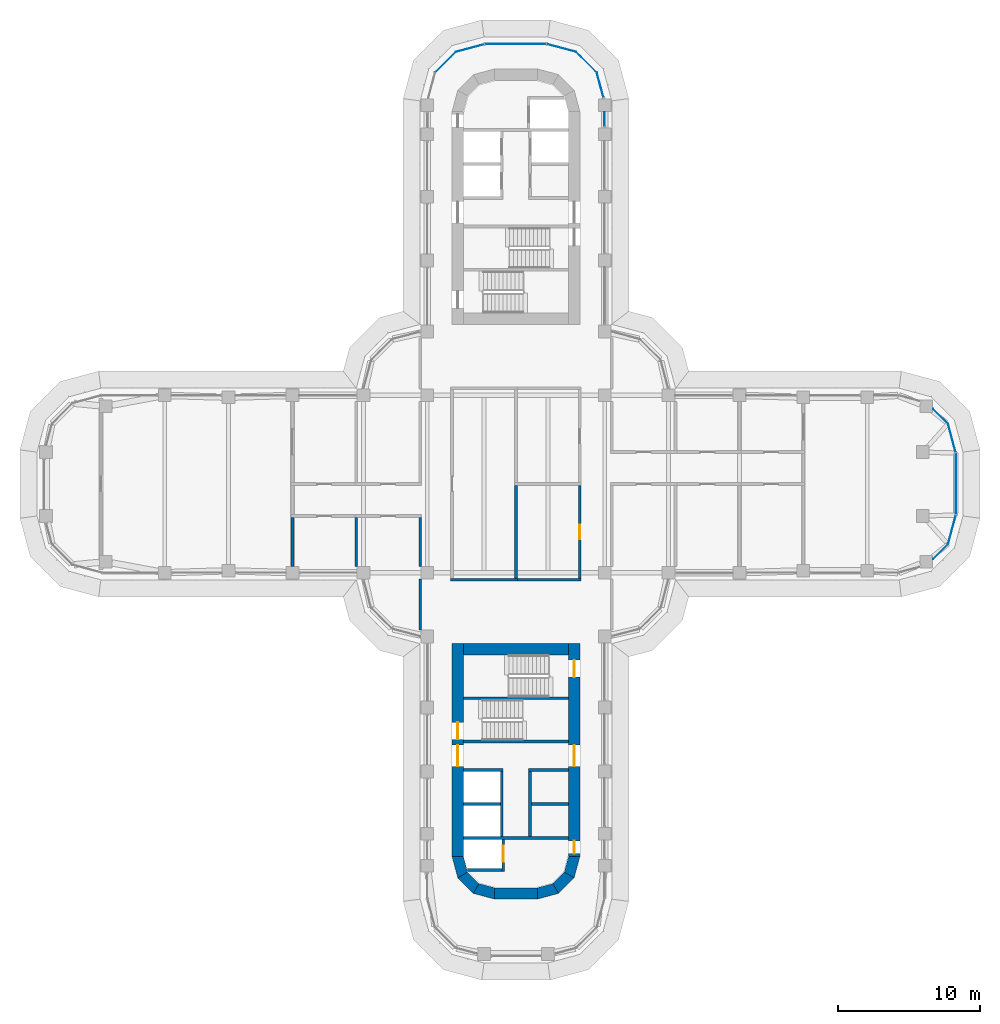
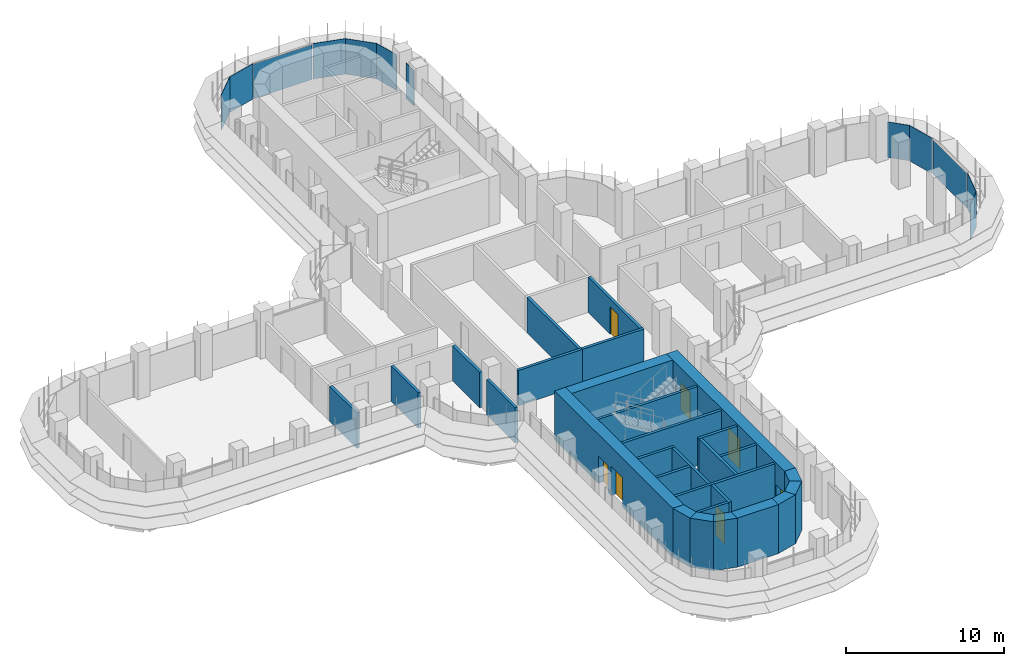
# One storey, part 15 of 22: 29 walls, 12 plates, 7 doors, 7 openings, 12 elements without a shape of their own.
"""IFC4 building model written with IfcOpenShell, lengths in metres."""

from ifc_helpers import new_model, si_unit, direction, frame, frame_2d, origin, place, context, subcontext, project, spatial, polyline, rectangle, outline, extrude, source, transform, mapped, material, layer, layer_set, type_object, element, fill, aggregate, save


model = new_model("IFC4")

# Units and contexts
model_context = context("Model", 3, precision=1e-05, world=origin(), true_north=direction((0.0, 1.0)))
body_context = subcontext(model_context, "Body", "Model", "MODEL_VIEW")
ifc_project = project(units=[si_unit("LENGTHUNIT", "METRE"), si_unit("AREAUNIT", "SQUARE_METRE"), si_unit("VOLUMEUNIT", "CUBIC_METRE"), si_unit("PLANEANGLEUNIT", "RADIAN"), si_unit("MASSUNIT", "GRAM", prefix="KILO")], contexts=[model_context])

# Site, building, storey
site_placement = place(None, origin())
site = spatial("IfcSite", under=ifc_project, at=site_placement, CompositionType="ELEMENT")
building_placement = place(site_placement, origin())
building = spatial("IfcBuilding", under=site, at=building_placement, Name="Zarbagh Exchange Tower", CompositionType="ELEMENT")
storey_placement = place(building_placement, frame((0.0, 0.0, 132.199951171875)))
storey = spatial("IfcBuildingStorey", under=building, at=storey_placement, Name="L31", CompositionType="ELEMENT", Elevation=132.199951171875)

# Curtain wall, plate
ifc_material_1 = material(Name="Anodised aluminium frame and glazing", Category="aluminium")
curtain_wall_type = type_object("IfcCurtainWallType", Name="CWA Ribbon glazing, lower zones", PredefinedType="NOTDEFINED", material=ifc_material_1)
curtain_wall_1_placement = place(storey_placement, origin())
curtain_wall_1 = element("IfcCurtainWall", 1, at=curtain_wall_1_placement, inside=storey, type_object=curtain_wall_type, Name="CWA51 curtain wall", PredefinedType="NOTDEFINED")
ifc_material_2 = material(Name="Low-e double glazed unit, 6+12+6 mm")
ifc_layer_1 = layer(ifc_material_2, 0.028076171875)
ifc_layer_set_1 = layer_set([ifc_layer_1], Name="PAA Glazing panel, Low-e double glazed unit, 6+12+6 mm")
plate_type = type_object("IfcPlateType", Name="PAA Glazing panel, Low-e double glazed unit, 6+12+6 mm", PredefinedType="CURTAIN_PANEL", material=ifc_layer_set_1)
shared_shape_1 = source(origin(), body_context, "Body", "SweptSolid", [
    extrude(outline(polyline([(0.0, -0.013916015625), (2.061279296875, -0.013916015625), (2.061279296875, 0.013916015625), (0.0, 0.013916015625), (0.0, -0.013916015625)])), origin(), (0.0, 0.0, 1.0), 2.75),
])
placement = place(storey_placement, origin())
plate_1 = element("IfcPlate", 2, at=placement, type_object=plate_type, Name="CWA51 glazing panel 1.1", PredefinedType="CURTAIN_PANEL", context=body_context, shape_type="MappedRepresentation", body=[
    mapped(shared_shape_1, transform((5.69873046875, 28.9912109375, 0.0), x_axis=(-0.707106781187, 0.707106781187, 0.0), y_axis=(-0.707106781187, -0.707106781187, 0.0), z_axis=(0.0, 0.0, 1.0))),
])
aggregate(curtain_wall_1, [plate_1])

curtain_wall_2_placement = place(storey_placement, origin())
curtain_wall_2 = element("IfcCurtainWall", 3, at=curtain_wall_2_placement, inside=storey, type_object=curtain_wall_type, Name="CWA54 curtain wall", PredefinedType="NOTDEFINED")
plate_2 = element("IfcPlate", 4, at=placement, type_object=plate_type, Name="CWA54 glazing panel 1.1", PredefinedType="CURTAIN_PANEL", context=body_context, shape_type="MappedRepresentation", body=[
    mapped(shared_shape_1, transform((-4.2412109375, 30.44873046875, 0.0), x_axis=(-0.707106781187, -0.707106781187, 0.0), y_axis=(0.707106781187, -0.707106781187, 0.0), z_axis=(0.0, 0.0, 1.0))),
])
aggregate(curtain_wall_2, [plate_2])

curtain_wall_3_placement = place(storey_placement, origin())
curtain_wall_3 = element("IfcCurtainWall", 5, at=curtain_wall_3_placement, inside=storey, type_object=curtain_wall_type, Name="CWA61 curtain wall", PredefinedType="NOTDEFINED")
shared_shape_2 = source(origin(), body_context, "Body", "SweptSolid", [
    extrude(outline(polyline([(0.0, -0.013916015625), (2.129638671875, -0.013916015625), (2.129638671875, 0.013916015625), (0.0, 0.013916015625), (0.0, -0.013916015625)])), origin(), (0.0, 0.0, 1.0), 2.75),
])
plate_3 = element("IfcPlate", 6, at=placement, type_object=plate_type, Name="CWA61 glazing panel 1.1", PredefinedType="CURTAIN_PANEL", context=body_context, shape_type="MappedRepresentation", body=[
    mapped(shared_shape_2, transform((30.44873046875, -4.2412109375, 0.0), x_axis=(0.258824779902, 0.965924289636, 0.0), y_axis=(-0.965924289636, 0.258824779902, 0.0), z_axis=(0.0, 0.0, 1.0))),
])
aggregate(curtain_wall_3, [plate_3])

curtain_wall_4_placement = place(storey_placement, origin())
curtain_wall_4 = element("IfcCurtainWall", 7, at=curtain_wall_4_placement, inside=storey, type_object=curtain_wall_type, Name="CWA52 curtain wall", PredefinedType="NOTDEFINED")
plate_4 = element("IfcPlate", 8, at=placement, type_object=plate_type, Name="CWA52 glazing panel 1.1", PredefinedType="CURTAIN_PANEL", context=body_context, shape_type="MappedRepresentation", body=[
    mapped(shared_shape_2, transform((4.2412109375, 30.44873046875, 0.0), x_axis=(-0.965924289636, 0.258824779902, 0.0), y_axis=(-0.258824779902, -0.965924289636, 0.0), z_axis=(0.0, 0.0, 1.0))),
])
aggregate(curtain_wall_4, [plate_4])

curtain_wall_5_placement = place(storey_placement, origin())
curtain_wall_5 = element("IfcCurtainWall", 9, at=curtain_wall_5_placement, inside=storey, type_object=curtain_wall_type, Name="CWA62 curtain wall", PredefinedType="NOTDEFINED")
shared_shape_3 = source(origin(), body_context, "Body", "SweptSolid", [
    extrude(outline(polyline([(0.0, -0.013916015625), (2.069580078125, -0.013916015625), (2.069580078125, 0.013916015625), (0.0, 0.013916015625), (0.0, -0.013916015625)])), origin(), (0.0, 0.0, 1.0), 2.75),
])
plate_5 = element("IfcPlate", 10, at=placement, type_object=plate_type, Name="CWA62 glazing panel 1.1", PredefinedType="CURTAIN_PANEL", context=body_context, shape_type="MappedRepresentation", body=[
    mapped(shared_shape_3, transform((30.984375, 2.2421875, 0.0), x_axis=(-0.258824779902, 0.965924289636, 0.0), y_axis=(-0.965924289636, -0.258824779902, 0.0), z_axis=(0.0, 0.0, 1.0))),
])
aggregate(curtain_wall_5, [plate_5])

curtain_wall_6_placement = place(storey_placement, origin())
curtain_wall_6 = element("IfcCurtainWall", 11, at=curtain_wall_6_placement, inside=storey, type_object=curtain_wall_type, Name="CWA53 curtain wall", PredefinedType="NOTDEFINED")
plate_6 = element("IfcPlate", 12, at=placement, type_object=plate_type, Name="CWA53 glazing panel 1.1", PredefinedType="CURTAIN_PANEL", context=body_context, shape_type="MappedRepresentation", body=[
    mapped(shared_shape_3, transform((-2.2421875, 30.984375, 0.0), x_axis=(-0.965924289636, -0.258824779902, 0.0), y_axis=(0.258824779902, -0.965924289636, 0.0), z_axis=(0.0, 0.0, 1.0))),
])
aggregate(curtain_wall_6, [plate_6])

curtain_wall_7_placement = place(storey_placement, origin())
curtain_wall_7 = element("IfcCurtainWall", 13, at=curtain_wall_7_placement, inside=storey, type_object=curtain_wall_type, Name="CWA49 curtain wall", PredefinedType="NOTDEFINED")
shared_shape_4 = source(origin(), body_context, "Body", "SweptSolid", [
    extrude(outline(polyline([(0.0, -0.013916015625), (1.010009765625, -0.013916015625), (1.010009765625, 0.013916015625), (0.0, 0.013916015625), (0.0, -0.013916015625)])), origin(), (0.0, 0.0, 1.0), 2.75),
])
plate_7 = element("IfcPlate", 14, at=placement, type_object=plate_type, Name="CWA49 glazing panel 4.1", PredefinedType="CURTAIN_PANEL", context=body_context, shape_type="MappedRepresentation", body=[
    mapped(shared_shape_4, transform((6.25, 25.199951171875, 0.0), x_axis=(0.0, 1.0, 0.0), y_axis=(-1.0, 0.0, 0.0), z_axis=(0.0, 0.0, 1.0))),
])
aggregate(curtain_wall_7, [plate_7])

curtain_wall_8_placement = place(storey_placement, origin())
curtain_wall_8 = element("IfcCurtainWall", 15, at=curtain_wall_8_placement, inside=storey, type_object=curtain_wall_type, Name="CWA50 curtain wall", PredefinedType="NOTDEFINED")
shared_shape_5 = source(origin(), body_context, "Body", "SweptSolid", [
    extrude(outline(polyline([(0.0, -0.013916015625), (1.8046875, -0.013916015625), (1.8046875, 0.013916015625), (0.0, 0.013916015625), (0.0, -0.013916015625)])), origin(), (0.0, 0.0, 1.0), 2.75),
])
plate_8 = element("IfcPlate", 16, at=placement, type_object=plate_type, Name="CWA50 glazing panel 1.1", PredefinedType="CURTAIN_PANEL", context=body_context, shape_type="MappedRepresentation", body=[
    mapped(shared_shape_5, transform((6.166015625, 27.248046875, 0.0), x_axis=(-0.258824779902, 0.965924289636, 0.0), y_axis=(-0.965924289636, -0.258824779902, 0.0), z_axis=(0.0, 0.0, 1.0))),
])
aggregate(curtain_wall_8, [plate_8])

curtain_wall_9_placement = place(storey_placement, origin())
curtain_wall_9 = element("IfcCurtainWall", 17, at=curtain_wall_9_placement, inside=storey, type_object=curtain_wall_type, Name="CWA66 curtain wall", PredefinedType="NOTDEFINED")
shared_shape_6 = source(origin(), body_context, "Body", "SweptSolid", [
    extrude(outline(polyline([(0.0, -0.013916015625), (4.308349609375, -0.013916015625), (4.308349609375, 0.013916015625), (0.0, 0.013916015625), (0.0, -0.013916015625)])), origin(), (0.0, 0.0, 1.0), 2.68994140625),
])
plate_9 = element("IfcPlate", 18, at=placement, type_object=plate_type, Name="CWA66 glazing panel 1.1", PredefinedType="CURTAIN_PANEL", context=body_context, shape_type="MappedRepresentation", body=[
    mapped(shared_shape_6, transform((31.0, -2.124267578125, 0.0), x_axis=(0.0, 1.0, 0.0), y_axis=(-1.0, 0.0, 0.0), z_axis=(0.0, 0.0, 1.0))),
])
aggregate(curtain_wall_9, [plate_9])

curtain_wall_10_placement = place(storey_placement, origin())
curtain_wall_10 = element("IfcCurtainWall", 19, at=curtain_wall_10_placement, inside=storey, type_object=curtain_wall_type, Name="CWA57 curtain wall", PredefinedType="NOTDEFINED")
plate_10 = element("IfcPlate", 20, at=placement, type_object=plate_type, Name="CWA57 glazing panel 1.1", PredefinedType="CURTAIN_PANEL", context=body_context, shape_type="MappedRepresentation", body=[
    mapped(shared_shape_6, transform((2.124267578125, 31.0, 0.0), x_axis=(-1.0, 0.0, 0.0), y_axis=(0.0, -1.0, 0.0), z_axis=(0.0, 0.0, 1.0))),
])
aggregate(curtain_wall_10, [plate_10])

curtain_wall_11_placement = place(storey_placement, origin())
curtain_wall_11 = element("IfcCurtainWall", 21, at=curtain_wall_11_placement, inside=storey, type_object=curtain_wall_type, Name="CWA60 curtain wall", PredefinedType="NOTDEFINED")
shared_shape_7 = source(origin(), body_context, "Body", "SweptSolid", [
    extrude(outline(polyline([(0.0, -0.013916015625), (1.486083984375, -0.013916015625), (1.486083984375, 0.013916015625), (0.0, 0.013916015625), (0.0, -0.013916015625)])), origin(), (0.0, 0.0, 1.0), 2.75),
])
plate_11 = element("IfcPlate", 22, at=placement, type_object=plate_type, Name="CWA60 glazing panel 1.1", PredefinedType="CURTAIN_PANEL", context=body_context, shape_type="MappedRepresentation", body=[
    mapped(shared_shape_7, transform((29.39794921875, -5.2919921875, 0.0), x_axis=(0.707106781187, 0.707106781187, 0.0), y_axis=(-0.707106781187, 0.707106781187, 0.0), z_axis=(0.0, 0.0, 1.0))),
])
aggregate(curtain_wall_11, [plate_11])

curtain_wall_12_placement = place(storey_placement, origin())
curtain_wall_12 = element("IfcCurtainWall", 23, at=curtain_wall_12_placement, inside=storey, type_object=curtain_wall_type, Name="CWA63 curtain wall", PredefinedType="NOTDEFINED")
plate_12 = element("IfcPlate", 24, at=placement, type_object=plate_type, Name="CWA63 glazing panel 1.1", PredefinedType="CURTAIN_PANEL", context=body_context, shape_type="MappedRepresentation", body=[
    mapped(shared_shape_7, transform((30.44873046875, 4.2412109375, 0.0), x_axis=(-0.707106781187, 0.707106781187, 0.0), y_axis=(-0.707106781187, -0.707106781187, 0.0), z_axis=(0.0, 0.0, 1.0))),
])
aggregate(curtain_wall_12, [plate_12])

# Walls
ifc_material_3 = material(Name="Fire-rated plasterboard partition")
ifc_layer_2 = layer(ifc_material_3, 0.199951171875)
ifc_layer_set_2 = layer_set([ifc_layer_2], Name="RATED PARTITION 200")
wall_type_1 = type_object("IfcWallType", Name="RATED PARTITION 200", PredefinedType="PARTITIONING", material=ifc_layer_set_2)
wall_1_placement = place(storey_placement, frame((-6.75, -10.300048828125, 0.0), z_axis=(0.0, 0.0, 1.0), x_axis=(0.0, 1.0, 0.0)))
element("IfcWall", 25, at=wall_1_placement, inside=storey, type_object=wall_type_1, Name="Partition W-1304", PredefinedType="PARTITIONING", context=body_context, shape_type="SweptSolid", body=[
    extrude(rectangle(XDim=3.60009765625, YDim=0.199951171875, at=frame_2d((1.800048828125, 0.0))), origin(), (0.0, 0.0, 1.0), 2.738037109375),
])
wall_2_placement = place(storey_placement, frame((-6.75, -5.800048828125, 0.0), z_axis=(0.0, 0.0, 1.0), x_axis=(0.0, 1.0, 0.0)))
element("IfcWall", 26, at=wall_2_placement, inside=storey, type_object=wall_type_1, Name="Partition W-1305", PredefinedType="PARTITIONING", context=body_context, shape_type="SweptSolid", body=[
    extrude(rectangle(XDim=3.449951171875, YDim=0.199951171875, at=frame_2d((1.72509765625, 0.0))), origin(), (0.0, 0.0, 1.0), 2.738037109375),
])

# Wall, opening, door
wall_3_placement = place(storey_placement, frame((4.5, -6.64990234375, 0.0), z_axis=(0.0, 0.0, 1.0), x_axis=(0.0, 1.0, 0.0)))
wall_3 = element("IfcWall", 27, at=wall_3_placement, inside=storey, type_object=wall_type_1, Name="Partition W-1307", PredefinedType="PARTITIONING", context=body_context, shape_type="SweptSolid", body=[
    extrude(rectangle(XDim=6.5498046875, YDim=0.199951171875, at=frame_2d((3.27490234375, 0.0))), origin(), (0.0, 0.0, 1.0), 2.738037109375),
])
opening_1_placement = place(wall_3_placement, frame((2.77490234375, 0.0, 0.0)))
opening_1 = element("IfcOpeningElement", 28, at=opening_1_placement, cuts=wall_3, Name="Opening D-1302", PredefinedType="OPENING", context=body_context, shape_type="SweptSolid", body=[
    extrude(rectangle(XDim=1.0, YDim=2.10009765625, at=frame_2d((0.5, 1.050048828125))), frame((0.0, 0.10986328125, 0.0), z_axis=(0.0, -1.0, 0.0), x_axis=(1.0, 0.0, 0.0)), (0.0, 0.0, 1.0), 0.219970703125),
])
ifc_material_4 = material(Name="Steel door set", Category="steel")
door_type_1 = type_object("IfcDoorType", Name="FIRE DOOR 1000 X 2100 FD30S", OperationType="NOTDEFINED", PredefinedType="DOOR", material=ifc_material_4)
door_1_placement = place(opening_1_placement, origin())
door_1 = element("IfcDoor", 29, at=door_1_placement, inside=storey, type_object=door_type_1, Name="Door D-1302", OperationType="SINGLE_SWING_RIGHT", OverallHeight=2.10009765625, OverallWidth=1.0, PredefinedType="DOOR", context=body_context, shape_type="SweptSolid", body=[
    extrude(rectangle(XDim=1.0, YDim=2.10009765625, at=frame_2d((0.5, 1.050048828125))), frame((0.0, 0.02490234375, 0.0), z_axis=(0.0, -1.0, 0.0), x_axis=(1.0, 0.0, 0.0)), (0.0, 0.0, 1.0), 0.050048828125),
])
fill(opening_1, door_1)

# Walls
for number, where, z_axis, x_axis, name in (
    (30, (-4.60009765625, -6.75, 0.0), (0.0, 0.0, 1.0), (1.0, 0.0, 0.0), "Partition W-1314"),
    (31, (-0.10009765625, -6.75, 0.0), (0.0, 0.0, 1.0), (1.0, 0.0, 0.0), "Partition W-1315"),
):
    element("IfcWall", number, at=place(storey_placement, frame(where, z_axis=z_axis, x_axis=x_axis)), inside=storey, type_object=wall_type_1, Name=name, PredefinedType="PARTITIONING", context=body_context, shape_type="SweptSolid", body=[
        extrude(rectangle(XDim=4.7001953125, YDim=0.199951171875, at=frame_2d((2.35009765625, 0.0))), origin(), (0.0, 0.0, 1.0), 2.738037109375),
    ])
wall_4_placement = place(storey_placement, frame((0.0, -6.64990234375, 0.0), z_axis=(0.0, 0.0, 1.0), x_axis=(0.0, 1.0, 0.0)))
element("IfcWall", 32, at=wall_4_placement, inside=storey, type_object=wall_type_1, Name="Partition W-1317", PredefinedType="PARTITIONING", context=body_context, shape_type="SweptSolid", body=[
    extrude(rectangle(XDim=6.5498046875, YDim=0.199951171875, at=frame_2d((3.27490234375, 0.0))), origin(), (0.0, 0.0, 1.0), 2.738037109375),
])
for number, where, z_axis, x_axis, name in (
    (33, (-11.25, -5.800048828125, 0.0), (0.0, 0.0, 1.0), (0.0, 1.0, 0.0), "Partition W-1338"),
    (34, (-15.75, -5.800048828125, 0.0), (0.0, 0.0, 1.0), (0.0, 1.0, 0.0), "Partition W-1340"),
):
    element("IfcWall", number, at=place(storey_placement, frame(where, z_axis=z_axis, x_axis=x_axis)), inside=storey, type_object=wall_type_1, Name=name, PredefinedType="PARTITIONING", context=body_context, shape_type="SweptSolid", body=[
        extrude(rectangle(XDim=3.449951171875, YDim=0.199951171875, at=frame_2d((1.72509765625, 0.0))), origin(), (0.0, 0.0, 1.0), 2.738037109375),
    ])
ifc_material_5 = material(Name="Concrete C60/75", Category="concrete")
ifc_layer_3 = layer(ifc_material_5, 0.800048828125)
ifc_layer_set_3 = layer_set([ifc_layer_3], Name="RC core corner wall 800 C60/75")
wall_type_2 = type_object("IfcWallType", Name="RC core corner wall 800 C60/75", PredefinedType="SHEAR", material=ifc_layer_set_3)
wall_5_placement = place(storey_placement, origin())
element("IfcWall", 35, at=wall_5_placement, inside=storey, type_object=wall_type_2, Name="CW4 core S corner W", PredefinedType="SHEAR", context=body_context, shape_type="SweptSolid", body=[
    extrude(outline(polyline([(-4.5, -26.25), (-4.09814453125, -27.75), (-3.4052734375, -27.35009765625), (-3.699951171875, -26.25), (-4.5, -26.25)])), origin(), (0.0, 0.0, 1.0), 3.800048828125),
])
wall_6_placement = place(storey_placement, origin())
element("IfcWall", 36, at=wall_6_placement, inside=storey, type_object=wall_type_2, Name="CW4 core S corner W", PredefinedType="SHEAR", context=body_context, shape_type="SweptSolid", body=[
    extrude(outline(polyline([(-4.09814453125, -27.75), (-3.0, -28.84814453125), (-2.60009765625, -28.1552734375), (-3.4052734375, -27.35009765625), (-4.09814453125, -27.75)])), origin(), (0.0, 0.0, 1.0), 3.800048828125),
])
wall_7_placement = place(storey_placement, origin())
element("IfcWall", 37, at=wall_7_placement, inside=storey, type_object=wall_type_2, Name="CW4 core S corner W", PredefinedType="SHEAR", context=body_context, shape_type="SweptSolid", body=[
    extrude(outline(polyline([(-3.0, -28.84814453125), (-1.5, -29.25), (-1.5, -28.449951171875), (-2.60009765625, -28.1552734375), (-3.0, -28.84814453125)])), origin(), (0.0, 0.0, 1.0), 3.800048828125),
])
wall_8_placement = place(storey_placement, origin())
element("IfcWall", 38, at=wall_8_placement, inside=storey, type_object=wall_type_2, Name="CW4 core S corner E", PredefinedType="SHEAR", context=body_context, shape_type="SweptSolid", body=[
    extrude(outline(polyline([(4.5, -26.25), (4.09814453125, -27.75), (3.4052734375, -27.35009765625), (3.699951171875, -26.25), (4.5, -26.25)])), origin(), (0.0, 0.0, 1.0), 3.800048828125),
])
wall_9_placement = place(storey_placement, origin())
element("IfcWall", 39, at=wall_9_placement, inside=storey, type_object=wall_type_2, Name="CW4 core S corner E", PredefinedType="SHEAR", context=body_context, shape_type="SweptSolid", body=[
    extrude(outline(polyline([(4.09814453125, -27.75), (3.0, -28.84814453125), (2.60009765625, -28.1552734375), (3.4052734375, -27.35009765625), (4.09814453125, -27.75)])), origin(), (0.0, 0.0, 1.0), 3.800048828125),
])
wall_10_placement = place(storey_placement, origin())
element("IfcWall", 40, at=wall_10_placement, inside=storey, type_object=wall_type_2, Name="CW4 core S corner E", PredefinedType="SHEAR", context=body_context, shape_type="SweptSolid", body=[
    extrude(outline(polyline([(3.0, -28.84814453125), (1.5, -29.25), (1.5, -28.449951171875), (2.60009765625, -28.1552734375), (3.0, -28.84814453125)])), origin(), (0.0, 0.0, 1.0), 3.800048828125),
])

# Wall, openings, doors
ifc_layer_4 = layer(ifc_material_5, 0.800048828125)
ifc_layer_set_4 = layer_set([ifc_layer_4], Name="RC core wall 800 C60/75")
wall_type_3 = type_object("IfcWallType", Name="RC core wall 800 C60/75", PredefinedType="SHEAR", material=ifc_layer_set_4)
wall_11_placement = place(storey_placement, frame((-4.10009765625, -11.25, 0.0), z_axis=(0.0, 0.0, 1.0), x_axis=(0.0, -1.0, 0.0)))
wall_11 = element("IfcWall", 41, at=wall_11_placement, inside=storey, type_object=wall_type_3, Name="CW3 core S W", PredefinedType="SHEAR", context=body_context, shape_type="SweptSolid", body=[
    extrude(rectangle(XDim=15.0, YDim=0.800048828125, at=frame_2d((7.5, 0.0))), origin(), (0.0, 0.0, 1.0), 3.800048828125),
])
opening_2_placement = place(wall_11_placement, frame((7.14990234375, 0.0, 0.0)))
opening_2 = element("IfcOpeningElement", 42, at=opening_2_placement, cuts=wall_11, Name="Opening CD1-1500", PredefinedType="OPENING", context=body_context, shape_type="SweptSolid", body=[
    extrude(rectangle(XDim=1.5, YDim=2.300048828125, at=frame_2d((0.75, 1.14990234375))), frame((0.0, 0.409912109375, 0.0), z_axis=(0.0, -1.0, 0.0), x_axis=(1.0, 0.0, 0.0)), (0.0, 0.0, 1.0), 0.820068359375),
])
opening_3_placement = place(wall_11_placement, frame((5.550048828125, 0.0, 0.0)))
opening_3 = element("IfcOpeningElement", 43, at=opening_3_placement, cuts=wall_11, Name="Opening SD1-1200", PredefinedType="OPENING", context=body_context, shape_type="SweptSolid", body=[
    extrude(rectangle(XDim=1.199951171875, YDim=2.10009765625, at=frame_2d((0.60009765625, 1.050048828125))), frame((0.0, 0.409912109375, 0.0), z_axis=(0.0, -1.0, 0.0), x_axis=(1.0, 0.0, 0.0)), (0.0, 0.0, 1.0), 0.820068359375),
])
ifc_material_6 = material(Name="Steel", Category="steel")
door_type_2 = type_object("IfcDoorType", Name="Exit stair door 1200 x 2100", OperationType="NOTDEFINED", PredefinedType="DOOR", material=ifc_material_6)
door_2_placement = place(opening_3_placement, origin())
door_2 = element("IfcDoor", 44, at=door_2_placement, inside=storey, type_object=door_type_2, Name="South core stair door ST1", OperationType="SINGLE_SWING_RIGHT", OverallHeight=2.10009765625, OverallWidth=1.199951171875, PredefinedType="DOOR", context=body_context, shape_type="SweptSolid", body=[
    extrude(rectangle(XDim=1.199951171875, YDim=2.10009765625, at=frame_2d((0.60009765625, 1.050048828125))), frame((0.0, 0.02490234375, 0.0), z_axis=(0.0, -1.0, 0.0), x_axis=(1.0, 0.0, 0.0)), (0.0, 0.0, 1.0), 0.050048828125),
])
fill(opening_3, door_2)
door_type_3 = type_object("IfcDoorType", Name="Lift lobby double door 1500 x 2300", OperationType="NOTDEFINED", PredefinedType="DOOR", material=ifc_material_6)
door_3_placement = place(opening_2_placement, origin())
door_3 = element("IfcDoor", 45, at=door_3_placement, inside=storey, type_object=door_type_3, Name="South core lift lobby door LOBBY-E", OperationType="DOUBLE_DOOR_SINGLE_SWING", OverallHeight=2.300048828125, OverallWidth=1.5, PredefinedType="DOOR", context=body_context, shape_type="SweptSolid", body=[
    extrude(rectangle(XDim=1.5, YDim=2.300048828125, at=frame_2d((0.75, 1.14990234375))), frame((0.0, 0.02490234375, 0.0), z_axis=(0.0, -1.0, 0.0), x_axis=(1.0, 0.0, 0.0)), (0.0, 0.0, 1.0), 0.050048828125),
])
fill(opening_2, door_3)

wall_12_placement = place(storey_placement, frame((4.10009765625, -11.25, 0.0), z_axis=(0.0, 0.0, 1.0), x_axis=(0.0, -1.0, 0.0)))
wall_12 = element("IfcWall", 46, at=wall_12_placement, inside=storey, type_object=wall_type_3, Name="CW3 core S E", PredefinedType="SHEAR", context=body_context, shape_type="SweptSolid", body=[
    extrude(rectangle(XDim=15.0, YDim=0.800048828125, at=frame_2d((7.5, 0.0))), origin(), (0.0, 0.0, 1.0), 3.800048828125),
])
opening_4_placement = place(wall_12_placement, frame((7.14990234375, 0.0, 0.0)))
opening_4 = element("IfcOpeningElement", 47, at=opening_4_placement, cuts=wall_12, Name="Opening CD1-1500", PredefinedType="OPENING", context=body_context, shape_type="SweptSolid", body=[
    extrude(rectangle(XDim=1.5, YDim=2.300048828125, at=frame_2d((0.75, 1.14990234375))), frame((0.0, 0.409912109375, 0.0), z_axis=(0.0, -1.0, 0.0), x_axis=(1.0, 0.0, 0.0)), (0.0, 0.0, 1.0), 0.820068359375),
])
opening_5_placement = place(wall_12_placement, frame((13.89990234375, 0.0, 0.0)))
opening_5 = element("IfcOpeningElement", 48, at=opening_5_placement, cuts=wall_12, Name="Opening CD2-900", PredefinedType="OPENING", context=body_context, shape_type="SweptSolid", body=[
    extrude(rectangle(XDim=0.89990234375, YDim=2.10009765625, at=frame_2d((0.449951171875, 1.050048828125))), frame((0.0, 0.409912109375, 0.0), z_axis=(0.0, -1.0, 0.0), x_axis=(1.0, 0.0, 0.0)), (0.0, 0.0, 1.0), 0.820068359375),
])
opening_6_placement = place(wall_12_placement, frame((1.14990234375, 0.0, 0.0)))
opening_6 = element("IfcOpeningElement", 49, at=opening_6_placement, cuts=wall_12, Name="Opening SD1-1200", PredefinedType="OPENING", context=body_context, shape_type="SweptSolid", body=[
    extrude(rectangle(XDim=1.199951171875, YDim=2.10009765625, at=frame_2d((0.60009765625, 1.050048828125))), frame((0.0, 0.409912109375, 0.0), z_axis=(0.0, -1.0, 0.0), x_axis=(1.0, 0.0, 0.0)), (0.0, 0.0, 1.0), 0.820068359375),
])
door_4_placement = place(opening_6_placement, origin())
door_4 = element("IfcDoor", 50, at=door_4_placement, inside=storey, type_object=door_type_2, Name="South core stair door ST2", OperationType="SINGLE_SWING_LEFT", OverallHeight=2.10009765625, OverallWidth=1.199951171875, PredefinedType="DOOR", context=body_context, shape_type="SweptSolid", body=[
    extrude(rectangle(XDim=1.199951171875, YDim=2.10009765625, at=frame_2d((0.60009765625, 1.050048828125))), frame((0.0, 0.02490234375, 0.0), z_axis=(0.0, -1.0, 0.0), x_axis=(1.0, 0.0, 0.0)), (0.0, 0.0, 1.0), 0.050048828125),
])
fill(opening_6, door_4)
door_type_4 = type_object("IfcDoorType", Name="Firefighting lobby door 900 x 2100", OperationType="NOTDEFINED", PredefinedType="DOOR", material=ifc_material_6)
door_5_placement = place(opening_5_placement, origin())
door_5 = element("IfcDoor", 51, at=door_5_placement, inside=storey, type_object=door_type_4, Name="South core firefighting lobby door FF-W", OperationType="SINGLE_SWING_LEFT", OverallHeight=2.10009765625, OverallWidth=0.89990234375, PredefinedType="DOOR", context=body_context, shape_type="SweptSolid", body=[
    extrude(rectangle(XDim=0.89990234375, YDim=2.10009765625, at=frame_2d((0.449951171875, 1.050048828125))), frame((0.0, 0.02490234375, 0.0), z_axis=(0.0, -1.0, 0.0), x_axis=(1.0, 0.0, 0.0)), (0.0, 0.0, 1.0), 0.050048828125),
])
fill(opening_5, door_5)
door_6_placement = place(opening_4_placement, origin())
door_6 = element("IfcDoor", 52, at=door_6_placement, inside=storey, type_object=door_type_3, Name="South core lift lobby door LOBBY-W", OperationType="DOUBLE_DOOR_SINGLE_SWING", OverallHeight=2.300048828125, OverallWidth=1.5, PredefinedType="DOOR", context=body_context, shape_type="SweptSolid", body=[
    extrude(rectangle(XDim=1.5, YDim=2.300048828125, at=frame_2d((0.75, 1.14990234375))), frame((0.0, 0.02490234375, 0.0), z_axis=(0.0, -1.0, 0.0), x_axis=(1.0, 0.0, 0.0)), (0.0, 0.0, 1.0), 0.050048828125),
])
fill(opening_4, door_6)

# Walls
wall_13_placement = place(storey_placement, frame((-3.699951171875, -11.64990234375, 0.0), z_axis=(0.0, 0.0, 1.0), x_axis=(1.0, 0.0, 0.0)))
element("IfcWall", 53, at=wall_13_placement, inside=storey, type_object=wall_type_3, Name="CW3 core S inner end", PredefinedType="SHEAR", context=body_context, shape_type="SweptSolid", body=[
    extrude(rectangle(XDim=7.39990234375, YDim=0.800048828125, at=frame_2d((3.699951171875, 0.0))), origin(), (0.0, 0.0, 1.0), 3.800048828125),
])
wall_14_placement = place(storey_placement, frame((-1.5, -28.85009765625, 0.0), z_axis=(0.0, 0.0, 1.0), x_axis=(1.0, 0.0, 0.0)))
element("IfcWall", 54, at=wall_14_placement, inside=storey, type_object=wall_type_3, Name="CW3 core S outer end", PredefinedType="SHEAR", context=body_context, shape_type="SweptSolid", body=[
    extrude(rectangle(XDim=3.0, YDim=0.800048828125, at=frame_2d((1.5, 0.0))), origin(), (0.0, 0.0, 1.0), 3.800048828125),
])
ifc_material_7 = material(Name="Dense blockwork", Category="masonry")
ifc_layer_5 = layer(ifc_material_7, 0.199951171875)
ifc_layer_set_5 = layer_set([ifc_layer_5], Name="Shaft wall 200 mm blockwork")
wall_type_4 = type_object("IfcWallType", Name="Shaft wall 200 mm blockwork", PredefinedType="PARTITIONING", material=ifc_layer_set_5)
wall_15_placement = place(storey_placement, frame((3.699951171875, -20.14990234375, 0.0), z_axis=(0.0, 0.0, 1.0), x_axis=(-1.0, 0.0, 0.0)))
element("IfcWall", 55, at=wall_15_placement, inside=storey, type_object=wall_type_4, Name="South core shaft wall AB-W", PredefinedType="PARTITIONING", context=body_context, shape_type="SweptSolid", body=[
    extrude(rectangle(XDim=2.800048828125, YDim=0.199951171875, at=frame_2d((1.39990234375, 0.0))), origin(), (0.0, 0.0, 1.0), 3.650146484375),
])
wall_16_placement = place(storey_placement, frame((1.0, -24.85009765625, 0.0), z_axis=(0.0, 0.0, 1.0), x_axis=(0.0, 1.0, 0.0)))
element("IfcWall", 56, at=wall_16_placement, inside=storey, type_object=wall_type_4, Name="South core shaft wall LW-W", PredefinedType="PARTITIONING", context=body_context, shape_type="SweptSolid", body=[
    extrude(rectangle(XDim=4.60009765625, YDim=0.199951171875, at=frame_2d((2.300048828125, 0.0))), origin(), (0.0, 0.0, 1.0), 3.650146484375),
])
wall_17_placement = place(storey_placement, frame((-0.89990234375, -20.14990234375, 0.0), z_axis=(0.0, 0.0, 1.0), x_axis=(-1.0, 0.0, 0.0)))
element("IfcWall", 57, at=wall_17_placement, inside=storey, type_object=wall_type_4, Name="South core shaft wall AB-E", PredefinedType="PARTITIONING", context=body_context, shape_type="SweptSolid", body=[
    extrude(rectangle(XDim=2.800048828125, YDim=0.199951171875, at=frame_2d((1.39990234375, 0.0))), origin(), (0.0, 0.0, 1.0), 3.650146484375),
])
wall_18_placement = place(storey_placement, frame((-1.0, -24.85009765625, 0.0), z_axis=(0.0, 0.0, 1.0), x_axis=(0.0, 1.0, 0.0)))
element("IfcWall", 58, at=wall_18_placement, inside=storey, type_object=wall_type_4, Name="South core shaft wall LW-E", PredefinedType="PARTITIONING", context=body_context, shape_type="SweptSolid", body=[
    extrude(rectangle(XDim=4.60009765625, YDim=0.199951171875, at=frame_2d((2.300048828125, 0.0))), origin(), (0.0, 0.0, 1.0), 3.650146484375),
])
for number, where, z_axis, x_axis, name in (
    (59, (3.699951171875, -22.550048828125, 0.0), (0.0, 0.0, 1.0), (-1.0, 0.0, 0.0), "South core shaft wall TR-W"),
    (60, (-1.10009765625, -22.550048828125, 0.0), (0.0, 0.0, 1.0), (-1.0, 0.0, 0.0), "South core shaft wall TR-E"),
):
    element("IfcWall", number, at=place(storey_placement, frame(where, z_axis=z_axis, x_axis=x_axis)), inside=storey, type_object=wall_type_4, Name=name, PredefinedType="PARTITIONING", context=body_context, shape_type="SweptSolid", body=[
        extrude(rectangle(XDim=2.599853515625, YDim=0.199951171875, at=frame_2d((1.2998046875, 0.0))), origin(), (0.0, 0.0, 1.0), 3.650146484375),
    ])
ifc_material_8 = material(Name="Concrete C40/50", Category="concrete")
ifc_layer_6 = layer(ifc_material_8, 0.199951171875)
ifc_layer_set_6 = layer_set([ifc_layer_6], Name="Stair enclosure wall 200 mm RC C40/50")
wall_type_5 = type_object("IfcWallType", Name="Stair enclosure wall 200 mm RC C40/50", PredefinedType="SHEAR", material=ifc_layer_set_6)
wall_19_placement = place(storey_placement, frame((3.699951171875, -24.949951171875, 0.0), z_axis=(0.0, 0.0, 1.0), x_axis=(-1.0, 0.0, 0.0)))
element("IfcWall", 61, at=wall_19_placement, inside=storey, type_object=wall_type_5, Name="South core lift shaft wall FFA", PredefinedType="SHEAR", context=body_context, shape_type="SweptSolid", body=[
    extrude(rectangle(XDim=7.39990234375, YDim=0.199951171875, at=frame_2d((3.699951171875, 0.0))), origin(), (0.0, 0.0, 1.0), 3.650146484375),
])

# Wall, opening, door
wall_20_placement = place(storey_placement, frame((-0.89990234375, -27.300048828125, 0.0), z_axis=(0.0, 0.0, 1.0), x_axis=(0.0, 1.0, 0.0)))
wall_20 = element("IfcWall", 62, at=wall_20_placement, inside=storey, type_object=wall_type_5, Name="South core lift shaft wall FFL", PredefinedType="SHEAR", context=body_context, shape_type="SweptSolid", body=[
    extrude(rectangle(XDim=2.25, YDim=0.199951171875, at=frame_2d((1.125, 0.0))), origin(), (0.0, 0.0, 1.0), 3.650146484375),
])
opening_7_placement = place(wall_20_placement, frame((0.699951171875, 0.0, 0.0)))
opening_7 = element("IfcOpeningElement", 63, at=opening_7_placement, cuts=wall_20, Name="Opening LD-1100", PredefinedType="OPENING", context=body_context, shape_type="SweptSolid", body=[
    extrude(rectangle(XDim=1.10009765625, YDim=2.300048828125, at=frame_2d((0.550048828125, 1.14990234375))), frame((0.0, 0.10986328125, 0.0), z_axis=(0.0, -1.0, 0.0), x_axis=(1.0, 0.0, 0.0)), (0.0, 0.0, 1.0), 0.219970703125),
])
ifc_material_9 = material(Name="Stainless steel", Category="steel")
door_type_5 = type_object("IfcDoorType", Name="Lift landing door 1100 x 2300", OperationType="NOTDEFINED", PredefinedType="DOOR", material=ifc_material_9)
door_7_placement = place(opening_7_placement, origin())
door_7 = element("IfcDoor", 64, at=door_7_placement, inside=storey, type_object=door_type_5, Name="South core lift landing door LD-F", OperationType="DOUBLE_DOOR_SLIDING", OverallHeight=2.300048828125, OverallWidth=1.10009765625, PredefinedType="DOOR", context=body_context, shape_type="SweptSolid", body=[
    extrude(rectangle(XDim=1.10009765625, YDim=2.300048828125, at=frame_2d((0.550048828125, 1.14990234375))), frame((0.0, 0.02490234375, 0.0), z_axis=(0.0, -1.0, 0.0), x_axis=(1.0, 0.0, 0.0)), (0.0, 0.0, 1.0), 0.050048828125),
])
fill(opening_7, door_7)

# Walls
wall_21_placement = place(storey_placement, origin())
element("IfcWall", 65, at=wall_21_placement, inside=storey, type_object=wall_type_5, Name="South core lift shaft wall FFX", PredefinedType="SHEAR", context=body_context, shape_type="SweptSolid", body=[
    extrude(outline(polyline([(-1.0, -27.10009765625), (-3.444091796875, -27.10009765625), (-3.390380859375, -27.300048828125), (-1.0, -27.300048828125), (-1.0, -27.10009765625)])), origin(), (0.0, 0.0, 1.0), 3.650146484375),
])
for number, where, z_axis, x_axis, name in (
    (66, (3.699951171875, -18.14990234375, 0.0), (0.0, 0.0, 1.0), (-1.0, 0.0, 0.0), "South core stair wall BS"),
    (67, (3.699951171875, -15.10009765625, 0.0), (0.0, 0.0, 1.0), (-1.0, 0.0, 0.0), "South core stair wall ST12"),
):
    element("IfcWall", number, at=place(storey_placement, frame(where, z_axis=z_axis, x_axis=x_axis)), inside=storey, type_object=wall_type_5, Name=name, PredefinedType="SHEAR", context=body_context, shape_type="SweptSolid", body=[
        extrude(rectangle(XDim=7.39990234375, YDim=0.199951171875, at=frame_2d((3.699951171875, 0.0))), origin(), (0.0, 0.0, 1.0), 3.650146484375),
    ])

save(model, "model.ifc")
